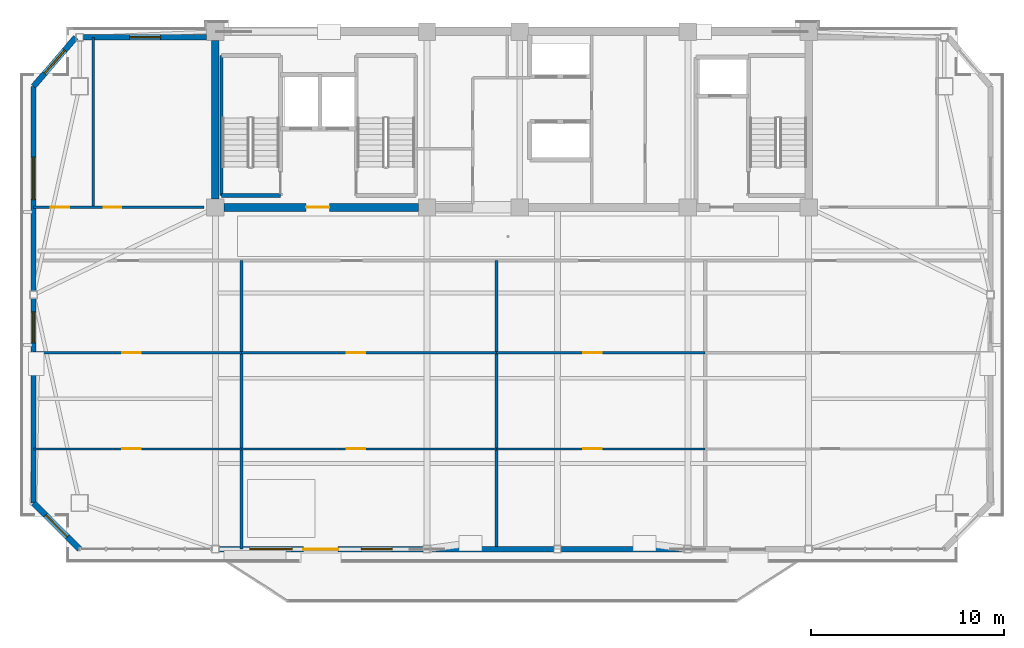
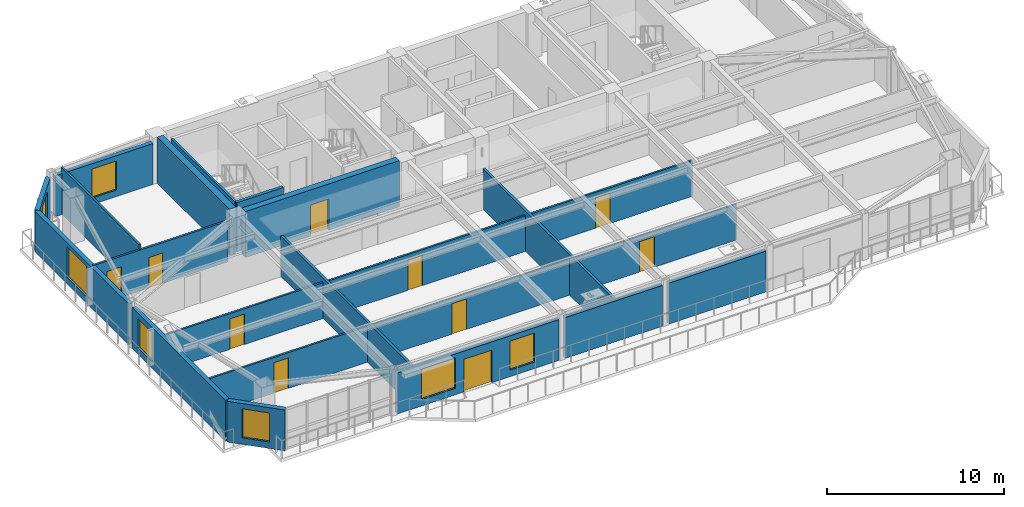
# One storey, part 6 of 13: 22 walls, 10 doors, 7 windows, 17 openings.
"""IFC4 building model written with IfcOpenShell, lengths in metres."""

from ifc_helpers import new_model, si_unit, direction, frame, frame_2d, origin, place, context, subcontext, project, spatial, rectangle, extrude, source, transform, mapped, material, layer, layer_set, type_object, element, fill, save


model = new_model("IFC4")

# Units and contexts
model_context = context("Model", 3, precision=1e-05, world=origin(), true_north=direction((0.0, 1.0)))
body_context = subcontext(model_context, "Body", "Model", "MODEL_VIEW")
ifc_project = project(units=[si_unit("LENGTHUNIT", "METRE"), si_unit("AREAUNIT", "SQUARE_METRE"), si_unit("VOLUMEUNIT", "CUBIC_METRE"), si_unit("PLANEANGLEUNIT", "RADIAN"), si_unit("MASSUNIT", "GRAM", prefix="KILO")], contexts=[model_context])

# Site, building, storey
site_placement = place(None, origin())
site = spatial("IfcSite", under=ifc_project, at=site_placement, CompositionType="ELEMENT")
building_placement = place(site_placement, origin())
building = spatial("IfcBuilding", under=site, at=building_placement, Name="Giltprow Tower", CompositionType="ELEMENT")
storey_placement = place(building_placement, frame((0.0, 0.0, 304.0)))
storey = spatial("IfcBuildingStorey", under=building, at=storey_placement, Name="L78", CompositionType="ELEMENT", Elevation=304.0)

# Wall, opening, window
ifc_material_1 = material(Name="Precast concrete C40", Category="concrete")
ifc_layer_1 = layer(ifc_material_1, 0.300048828125, Name="Precast concrete C40")
ifc_layer_set_1 = layer_set([ifc_layer_1], Name="Precast concrete C40")
wall_type_1 = type_object("IfcWallType", Name="EW-NOTCH-CHAMFER-300", PredefinedType="SOLIDWALL", material=ifc_layer_set_1)
wall_1_placement = place(storey_placement, frame((10.43994140625, 22.156982421875, 0.0), z_axis=(0.0, 0.0, 1.0), x_axis=(0.707106781187, -0.707106781187, 0.0)))
wall_1 = element("IfcWall", 1, at=wall_1_placement, inside=storey, type_object=wall_type_1, Name="L78 Corner Notch Wall SW", PredefinedType="SOLIDWALL", context=body_context, shape_type="SweptSolid", body=[
    extrude(rectangle(XDim=3.372802734375, YDim=0.300048828125, at=frame_2d((1.6865234375, 0.0))), origin(), (0.0, 0.0, 1.0), 2.81494140625),
])
opening_1_placement = place(wall_1_placement, frame((0.885986328125, 0.0, 0.449951171875)))
opening_1 = element("IfcOpeningElement", 2, at=opening_1_placement, cuts=wall_1, Name="Opening WN17", PredefinedType="OPENING", context=body_context, shape_type="SweptSolid", body=[
    extrude(rectangle(XDim=1.60009765625, YDim=2.0, at=frame_2d((0.800048828125, 1.0))), frame((0.0, 0.159912109375, 0.0), z_axis=(0.0, -1.0, 0.0), x_axis=(1.0, 0.0, 0.0)), (0.0, 0.0, 1.0), 0.320068359375),
])
ifc_material_2 = material(Name="Insulated glass", Category="glass")
window_type_1 = type_object("IfcWindowType", Name="WN-COR-1600x2000", PartitioningType="SINGLE_PANEL", PredefinedType="WINDOW", material=ifc_material_2)
shared_shape_1 = source(origin(), body_context, "Body", "SweptSolid", [
    extrude(rectangle(XDim=1.60009765625, YDim=2.0, at=frame_2d((0.800048828125, 1.0))), frame((0.0, 0.030029296875, 0.0), z_axis=(0.0, -1.0, 0.0), x_axis=(1.0, 0.0, 0.0)), (0.0, 0.0, 1.0), 0.06005859375),
])
window_1_placement = place(opening_1_placement, origin())
window_1 = element("IfcWindow", 3, at=window_1_placement, inside=storey, type_object=window_type_1, Name="L78 Corner Notch Window SW", OverallHeight=2.0, OverallWidth=1.60009765625, PartitioningType="SINGLE_PANEL", PredefinedType="WINDOW", context=body_context, shape_type="MappedRepresentation", body=[
    mapped(shared_shape_1, transform((0.0, 0.0, 0.0), x_axis=(1.0, 0.0, 0.0), y_axis=(0.0, 1.0, 0.0), z_axis=(0.0, 0.0, 1.0), scale=1.0)),
])
fill(opening_1, window_1)

wall_2_placement = place(storey_placement, frame((12.625, 46.25, 0.0), z_axis=(0.0, 0.0, 1.0), x_axis=(-0.652903544361, -0.757441061576, 0.0)))
wall_2 = element("IfcWall", 4, at=wall_2_placement, inside=storey, type_object=wall_type_1, Name="L78 Corner Notch Wall NW", PredefinedType="SOLIDWALL", context=body_context, shape_type="SweptSolid", body=[
    extrude(rectangle(XDim=3.3466796875, YDim=0.300048828125, at=frame_2d((1.67333984375, 0.0))), origin(), (0.0, 0.0, 1.0), 2.81494140625),
])
opening_2_placement = place(wall_2_placement, frame((0.873046875, 0.0, 0.449951171875)))
opening_2 = element("IfcOpeningElement", 5, at=opening_2_placement, cuts=wall_2, Name="Opening WN17", PredefinedType="OPENING", context=body_context, shape_type="SweptSolid", body=[
    extrude(rectangle(XDim=1.60009765625, YDim=2.0, at=frame_2d((0.800048828125, 1.0))), frame((0.0, 0.159912109375, 0.0), z_axis=(0.0, -1.0, 0.0), x_axis=(1.0, 0.0, 0.0)), (0.0, 0.0, 1.0), 0.320068359375),
])
window_2_placement = place(opening_2_placement, origin())
window_2 = element("IfcWindow", 6, at=window_2_placement, inside=storey, type_object=window_type_1, Name="L78 Corner Notch Window NW", OverallHeight=2.0, OverallWidth=1.60009765625, PartitioningType="SINGLE_PANEL", PredefinedType="WINDOW", context=body_context, shape_type="MappedRepresentation", body=[
    mapped(shared_shape_1, transform((0.0, 0.0, 0.0), x_axis=(1.0, 0.0, 0.0), y_axis=(0.0, 1.0, 0.0), z_axis=(0.0, 0.0, 1.0), scale=1.0)),
])
fill(opening_2, window_2)

# Wall, openings, windows, door
ifc_layer_2 = layer(ifc_material_1, 0.280029296875, Name="Precast concrete C40")
ifc_layer_set_2 = layer_set([ifc_layer_2], Name="Precast concrete C40")
wall_type_2 = type_object("IfcWallType", Name="EW-TOW-BRONZE-280", PredefinedType="SOLIDWALL", material=ifc_layer_set_2)
wall_3_placement = place(storey_placement, frame((20.050048828125, 19.77197265625, 0.0), z_axis=(0.0, 0.0, 1.0), x_axis=(1.0, 0.0, 0.0)))
wall_3 = element("IfcWall", 7, at=wall_3_placement, inside=storey, type_object=wall_type_2, Name="L78 South Expressed Frame Wall 2", PredefinedType="SOLIDWALL", context=body_context, shape_type="SweptSolid", body=[
    extrude(rectangle(XDim=10.550048828125, YDim=0.280029296875, at=frame_2d((5.27490234375, 0.0))), origin(), (0.0, 0.0, 1.0), 2.81494140625),
])
opening_3_placement = place(wall_3_placement, frame((4.35009765625, 0.0, 0.0)))
opening_3 = element("IfcOpeningElement", 8, at=opening_3_placement, cuts=wall_3, Name="Opening ED25", PredefinedType="OPENING", context=body_context, shape_type="SweptSolid", body=[
    extrude(rectangle(XDim=1.800048828125, YDim=2.25, at=frame_2d((0.89990234375, 1.125))), frame((0.0, 0.14990234375, 0.0), z_axis=(0.0, -1.0, 0.0), x_axis=(1.0, 0.0, 0.0)), (0.0, 0.0, 1.0), 0.300048828125),
])
opening_4_placement = place(wall_3_placement, frame((1.570068359375, 0.0, 0.449951171875)))
opening_4 = element("IfcOpeningElement", 9, at=opening_4_placement, cuts=wall_3, Name="Opening WN27", PredefinedType="OPENING", context=body_context, shape_type="SweptSolid", body=[
    extrude(rectangle(XDim=2.199951171875, YDim=2.10009765625, at=frame_2d((1.10009765625, 1.050048828125))), frame((0.0, 0.14990234375, 0.0), z_axis=(0.0, -1.0, 0.0), x_axis=(1.0, 0.0, 0.0)), (0.0, 0.0, 1.0), 0.300048828125),
])
opening_5_placement = place(wall_3_placement, frame((7.35009765625, 0.0, 0.449951171875)))
opening_5 = element("IfcOpeningElement", 10, at=opening_5_placement, cuts=wall_3, Name="Opening WN17", PredefinedType="OPENING", context=body_context, shape_type="SweptSolid", body=[
    extrude(rectangle(XDim=1.60009765625, YDim=2.0, at=frame_2d((0.800048828125, 1.0))), frame((0.0, 0.14990234375, 0.0), z_axis=(0.0, -1.0, 0.0), x_axis=(1.0, 0.0, 0.0)), (0.0, 0.0, 1.0), 0.300048828125),
])
window_3_placement = place(opening_5_placement, origin())
window_3 = element("IfcWindow", 11, at=window_3_placement, inside=storey, type_object=window_type_1, Name="L78 South Window 2B", OverallHeight=2.0, OverallWidth=1.60009765625, PartitioningType="SINGLE_PANEL", PredefinedType="WINDOW", context=body_context, shape_type="MappedRepresentation", body=[
    mapped(shared_shape_1, transform((0.0, 0.0, 0.0), x_axis=(1.0, 0.0, 0.0), y_axis=(0.0, 1.0, 0.0), z_axis=(0.0, 0.0, 1.0), scale=1.0)),
])
fill(opening_5, window_3)
ifc_material_3 = material(Name="Anodized bronze and glass", Category="glass")
door_type_1 = type_object("IfcDoorType", Name="DR-BALC-SLIDE-1800", OperationType="SLIDING_TO_LEFT", PredefinedType="DOOR", material=ifc_material_3)
shared_shape_2 = source(origin(), body_context, "Body", "SweptSolid", [
    extrude(rectangle(XDim=1.800048828125, YDim=2.25, at=frame_2d((0.89990234375, 1.125))), frame((0.0, 0.02490234375, 0.0), z_axis=(0.0, -1.0, 0.0), x_axis=(1.0, 0.0, 0.0)), (0.0, 0.0, 1.0), 0.050048828125),
])
door_1_placement = place(opening_3_placement, origin())
door_1 = element("IfcDoor", 12, at=door_1_placement, inside=storey, type_object=door_type_1, Name="L78 Waterfront Balcony Sliding Door 1", OperationType="SLIDING_TO_LEFT", OverallHeight=2.25, OverallWidth=1.800048828125, PredefinedType="DOOR", context=body_context, shape_type="MappedRepresentation", body=[
    mapped(shared_shape_2, transform((0.0, 0.0, 0.0), x_axis=(1.0, 0.0, 0.0), y_axis=(0.0, 1.0, 0.0), z_axis=(0.0, 0.0, 1.0), scale=1.0)),
])
fill(opening_3, door_1)
window_type_2 = type_object("IfcWindowType", Name="WN-RES-2200x2100", PartitioningType="TRIPLE_PANEL_VERTICAL", PredefinedType="WINDOW", material=ifc_material_2)
shared_shape_3 = source(origin(), body_context, "Body", "SweptSolid", [
    extrude(rectangle(XDim=2.199951171875, YDim=2.10009765625, at=frame_2d((1.10009765625, 1.050048828125))), frame((0.0, 0.030029296875, 0.0), z_axis=(0.0, -1.0, 0.0), x_axis=(1.0, 0.0, 0.0)), (0.0, 0.0, 1.0), 0.06005859375),
])
window_4_placement = place(opening_4_placement, origin())
window_4 = element("IfcWindow", 13, at=window_4_placement, inside=storey, type_object=window_type_2, Name="L78 South Window 2A", OverallHeight=2.10009765625, OverallWidth=2.199951171875, PartitioningType="SINGLE_PANEL", PredefinedType="WINDOW", context=body_context, shape_type="MappedRepresentation", body=[
    mapped(shared_shape_3, transform((0.0, 0.0, 0.0), x_axis=(1.0, 0.0, 0.0), y_axis=(0.0, 1.0, 0.0), z_axis=(0.0, 0.0, 1.0), scale=1.0)),
])
fill(opening_4, window_4)

# Walls
for number, where, z_axis, x_axis, name in (
    (14, (31.0, 19.77197265625, 0.0), (0.0, 0.0, 1.0), (1.0, 0.0, 0.0), "L78 South Expressed Frame Wall 3"),
    (15, (37.75, 19.77197265625, 0.0), (0.0, 0.0, 1.0), (1.0, 0.0, 0.0), "L78 South Expressed Frame Wall 4"),
):
    element("IfcWall", number, at=place(storey_placement, frame(where, z_axis=z_axis, x_axis=x_axis)), inside=storey, type_object=wall_type_2, Name=name, PredefinedType="SOLIDWALL", context=body_context, shape_type="SweptSolid", body=[
        extrude(rectangle(XDim=6.35009765625, YDim=0.280029296875, at=frame_2d((3.175048828125, 0.0))), origin(), (0.0, 0.0, 1.0), 2.81494140625),
    ])

# Wall, opening, window
wall_4_placement = place(storey_placement, frame((10.43994140625, 22.156982421875, 0.0), z_axis=(0.0, 0.0, 1.0), x_axis=(0.0, 1.0, 0.0)))
wall_4 = element("IfcWall", 16, at=wall_4_placement, inside=storey, type_object=wall_type_2, Name="L78 W Wing Masonry Wall 1", PredefinedType="SOLIDWALL", context=body_context, shape_type="SweptSolid", body=[
    extrude(rectangle(XDim=10.5791015625, YDim=0.280029296875, at=frame_2d((5.28955078125, 0.0))), origin(), (0.0, 0.0, 1.0), 2.81494140625),
])
opening_6_placement = place(wall_4_placement, frame((8.2900390625, 0.0, 0.449951171875)))
opening_6 = element("IfcOpeningElement", 17, at=opening_6_placement, cuts=wall_4, Name="Opening WN17", PredefinedType="OPENING", context=body_context, shape_type="SweptSolid", body=[
    extrude(rectangle(XDim=1.60009765625, YDim=2.0, at=frame_2d((0.800048828125, 1.0))), frame((0.0, 0.14990234375, 0.0), z_axis=(0.0, -1.0, 0.0), x_axis=(1.0, 0.0, 0.0)), (0.0, 0.0, 1.0), 0.300048828125),
])
window_5_placement = place(opening_6_placement, origin())
window_5 = element("IfcWindow", 18, at=window_5_placement, inside=storey, type_object=window_type_1, Name="L78 W Wing Window 1-1", OverallHeight=2.0, OverallWidth=1.60009765625, PartitioningType="SINGLE_PANEL", PredefinedType="WINDOW", context=body_context, shape_type="MappedRepresentation", body=[
    mapped(shared_shape_1, transform((0.0, 0.0, 0.0), x_axis=(1.0, 0.0, 0.0), y_axis=(0.0, 1.0, 0.0), z_axis=(0.0, 0.0, 1.0), scale=1.0)),
])
fill(opening_6, window_5)

wall_5_placement = place(storey_placement, frame((10.43994140625, 33.135986328125, 0.0), z_axis=(0.0, 0.0, 1.0), x_axis=(0.0, 1.0, 0.0)))
wall_5 = element("IfcWall", 19, at=wall_5_placement, inside=storey, type_object=wall_type_2, Name="L78 W Wing Masonry Wall 2", PredefinedType="SOLIDWALL", context=body_context, shape_type="SweptSolid", body=[
    extrude(rectangle(XDim=10.5791015625, YDim=0.280029296875, at=frame_2d((5.28955078125, 0.0))), origin(), (0.0, 0.0, 1.0), 2.81494140625),
])
opening_7_placement = place(wall_5_placement, frame((4.718994140625, 0.0, 0.449951171875)))
opening_7 = element("IfcOpeningElement", 20, at=opening_7_placement, cuts=wall_5, Name="Opening WN27", PredefinedType="OPENING", context=body_context, shape_type="SweptSolid", body=[
    extrude(rectangle(XDim=2.199951171875, YDim=2.10009765625, at=frame_2d((1.10009765625, 1.050048828125))), frame((0.0, 0.14990234375, 0.0), z_axis=(0.0, -1.0, 0.0), x_axis=(1.0, 0.0, 0.0)), (0.0, 0.0, 1.0), 0.300048828125),
])
window_6_placement = place(opening_7_placement, origin())
window_6 = element("IfcWindow", 21, at=window_6_placement, inside=storey, type_object=window_type_2, Name="L78 W Wing Window 2-1", OverallHeight=2.10009765625, OverallWidth=2.199951171875, PartitioningType="SINGLE_PANEL", PredefinedType="WINDOW", context=body_context, shape_type="MappedRepresentation", body=[
    mapped(shared_shape_3, transform((0.0, 0.0, 0.0), x_axis=(1.0, 0.0, 0.0), y_axis=(0.0, 1.0, 0.0), z_axis=(0.0, 0.0, 1.0), scale=1.0)),
])
fill(opening_7, window_6)

wall_6_placement = place(storey_placement, frame((13.02490234375, 46.25, 0.0), z_axis=(0.0, 0.0, 1.0), x_axis=(1.0, 0.0, 0.0)))
wall_6 = element("IfcWall", 22, at=wall_6_placement, inside=storey, type_object=wall_type_2, Name="L78 North-West Wing Wall", PredefinedType="SOLIDWALL", context=body_context, shape_type="SweptSolid", body=[
    extrude(rectangle(XDim=6.375, YDim=0.280029296875, at=frame_2d((3.1875, 0.0))), origin(), (0.0, 0.0, 1.0), 2.81494140625),
])
opening_8_placement = place(wall_6_placement, frame((2.386962890625, 0.0, 0.449951171875)))
opening_8 = element("IfcOpeningElement", 23, at=opening_8_placement, cuts=wall_6, Name="Opening WN17", PredefinedType="OPENING", context=body_context, shape_type="SweptSolid", body=[
    extrude(rectangle(XDim=1.60009765625, YDim=2.0, at=frame_2d((0.800048828125, 1.0))), frame((0.0, 0.14990234375, 0.0), z_axis=(0.0, -1.0, 0.0), x_axis=(1.0, 0.0, 0.0)), (0.0, 0.0, 1.0), 0.300048828125),
])
window_7_placement = place(opening_8_placement, origin())
window_7 = element("IfcWindow", 24, at=window_7_placement, inside=storey, type_object=window_type_1, Name="L78 North-West Window", OverallHeight=2.0, OverallWidth=1.60009765625, PartitioningType="SINGLE_PANEL", PredefinedType="WINDOW", context=body_context, shape_type="MappedRepresentation", body=[
    mapped(shared_shape_1, transform((0.0, 0.0, 0.0), x_axis=(1.0, 0.0, 0.0), y_axis=(0.0, 1.0, 0.0), z_axis=(0.0, 0.0, 1.0), scale=1.0)),
])
fill(opening_8, window_7)

# Walls
ifc_material_4 = material(Name="Gypsum stud partition", Category="gypsum")
ifc_layer_3 = layer(ifc_material_4, 0.159912109375, Name="Gypsum stud partition")
ifc_layer_set_3 = layer_set([ifc_layer_3], Name="Gypsum stud partition")
wall_type_3 = type_object("IfcWallType", Name="IW-DEMISE-160", PredefinedType="PARTITIONING", material=ifc_layer_set_3)
for number, where, z_axis, x_axis, name in (
    (25, (21.199951171875, 19.77197265625, 0.0), (0.0, 0.0, 1.0), (0.0, 1.0, 0.0), "L78 Apartment Party Wall 1"),
    (26, (34.39990234375, 19.77197265625, 0.0), (0.0, 0.0, 1.0), (0.0, 1.0, 0.0), "L78 Apartment Party Wall 2"),
):
    element("IfcWall", number, at=place(storey_placement, frame(where, z_axis=z_axis, x_axis=x_axis)), inside=storey, type_object=wall_type_3, Name=name, PredefinedType="PARTITIONING", context=body_context, shape_type="SweptSolid", body=[
        extrude(rectangle(XDim=14.927978515625, YDim=0.159912109375, at=frame_2d((7.4638671875, 0.0))), origin(), (0.0, 0.0, 1.0), 2.77001953125),
    ])

# Wall, opening, door
ifc_layer_4 = layer(ifc_material_4, 0.1201171875, Name="Gypsum stud partition")
ifc_layer_set_4 = layer_set([ifc_layer_4], Name="Gypsum stud partition")
wall_type_4 = type_object("IfcWallType", Name="IW-ROOM-120", PredefinedType="PARTITIONING", material=ifc_layer_set_4)
wall_7_placement = place(storey_placement, frame((10.43994140625, 24.951904296875, 0.0), z_axis=(0.0, 0.0, 1.0), x_axis=(1.0, 0.0, 0.0)))
wall_7 = element("IfcWall", 27, at=wall_7_placement, inside=storey, type_object=wall_type_4, Name="L78 Special Split 1", PredefinedType="PARTITIONING", context=body_context, shape_type="SweptSolid", body=[
    extrude(rectangle(XDim=10.760009765625, YDim=0.1201171875, at=frame_2d((5.3798828125, 0.0))), origin(), (0.0, 0.0, 1.0), 2.469970703125),
])
opening_9_placement = place(wall_7_placement, frame((4.590087890625, 0.0, 0.0)))
opening_9 = element("IfcOpeningElement", 28, at=opening_9_placement, cuts=wall_7, Name="Opening ID11", PredefinedType="OPENING", context=body_context, shape_type="SweptSolid", body=[
    extrude(rectangle(XDim=0.949951171875, YDim=2.10009765625, at=frame_2d((0.47509765625, 1.050048828125))), frame((0.0, 0.070068359375, 0.0), z_axis=(0.0, -1.0, 0.0), x_axis=(1.0, 0.0, 0.0)), (0.0, 0.0, 1.0), 0.14013671875),
])
ifc_material_5 = material(Name="Engineered timber", Category="wood")
door_type_2 = type_object("IfcDoorType", Name="DR-ROOM-950", OperationType="SINGLE_SWING_RIGHT", PredefinedType="DOOR", material=ifc_material_5)
shared_shape_4 = source(origin(), body_context, "Body", "SweptSolid", [
    extrude(rectangle(XDim=0.949951171875, YDim=2.10009765625, at=frame_2d((0.47509765625, 1.050048828125))), frame((0.0, 0.02490234375, 0.0), z_axis=(0.0, -1.0, 0.0), x_axis=(1.0, 0.0, 0.0)), (0.0, 0.0, 1.0), 0.050048828125),
])
door_2_placement = place(opening_9_placement, origin())
door_2 = element("IfcDoor", 29, at=door_2_placement, inside=storey, type_object=door_type_2, Name="L78 Residents Study Office South Door", OperationType="SINGLE_SWING_LEFT", OverallHeight=2.10009765625, OverallWidth=0.949951171875, PredefinedType="DOOR", context=body_context, shape_type="MappedRepresentation", body=[
    mapped(shared_shape_4, transform((0.0, 0.0, 0.0), x_axis=(1.0, 0.0, 0.0), y_axis=(0.0, 1.0, 0.0), z_axis=(0.0, 0.0, 1.0), scale=1.0)),
])
fill(opening_9, door_2)

wall_8_placement = place(storey_placement, frame((10.43994140625, 29.93310546875, 0.0), z_axis=(0.0, 0.0, 1.0), x_axis=(1.0, 0.0, 0.0)))
wall_8 = element("IfcWall", 30, at=wall_8_placement, inside=storey, type_object=wall_type_4, Name="L78 Special Split 2", PredefinedType="PARTITIONING", context=body_context, shape_type="SweptSolid", body=[
    extrude(rectangle(XDim=10.760009765625, YDim=0.1201171875, at=frame_2d((5.3798828125, 0.0))), origin(), (0.0, 0.0, 1.0), 2.469970703125),
])
opening_10_placement = place(wall_8_placement, frame((4.590087890625, 0.0, 0.0)))
opening_10 = element("IfcOpeningElement", 31, at=opening_10_placement, cuts=wall_8, Name="Opening ID11", PredefinedType="OPENING", context=body_context, shape_type="SweptSolid", body=[
    extrude(rectangle(XDim=0.949951171875, YDim=2.10009765625, at=frame_2d((0.47509765625, 1.050048828125))), frame((0.0, 0.070068359375, 0.0), z_axis=(0.0, -1.0, 0.0), x_axis=(1.0, 0.0, 0.0)), (0.0, 0.0, 1.0), 0.14013671875),
])
door_3_placement = place(opening_10_placement, origin())
door_3 = element("IfcDoor", 32, at=door_3_placement, inside=storey, type_object=door_type_2, Name="L78 Residents Study Office Mid Door", OperationType="SINGLE_SWING_RIGHT", OverallHeight=2.10009765625, OverallWidth=0.949951171875, PredefinedType="DOOR", context=body_context, shape_type="MappedRepresentation", body=[
    mapped(shared_shape_4, transform((0.0, 0.0, 0.0), x_axis=(1.0, 0.0, 0.0), y_axis=(0.0, 1.0, 0.0), z_axis=(0.0, 0.0, 1.0), scale=1.0)),
])
fill(opening_10, door_3)

wall_9_placement = place(storey_placement, frame((21.199951171875, 24.951904296875, 0.0), z_axis=(0.0, 0.0, 1.0), x_axis=(1.0, 0.0, 0.0)))
wall_9 = element("IfcWall", 33, at=wall_9_placement, inside=storey, type_object=wall_type_4, Name="L78 Special Split 1", PredefinedType="PARTITIONING", context=body_context, shape_type="SweptSolid", body=[
    extrude(rectangle(XDim=13.199951171875, YDim=0.1201171875, at=frame_2d((6.60009765625, 0.0))), origin(), (0.0, 0.0, 1.0), 2.469970703125),
])
opening_11_placement = place(wall_9_placement, frame((5.446044921875, 0.0, 0.0)))
opening_11 = element("IfcOpeningElement", 34, at=opening_11_placement, cuts=wall_9, Name="Opening ID11", PredefinedType="OPENING", context=body_context, shape_type="SweptSolid", body=[
    extrude(rectangle(XDim=0.949951171875, YDim=2.10009765625, at=frame_2d((0.47509765625, 1.050048828125))), frame((0.0, 0.070068359375, 0.0), z_axis=(0.0, -1.0, 0.0), x_axis=(1.0, 0.0, 0.0)), (0.0, 0.0, 1.0), 0.14013671875),
])
door_4_placement = place(opening_11_placement, origin())
door_4 = element("IfcDoor", 35, at=door_4_placement, inside=storey, type_object=door_type_2, Name="L78 Residents Sky Club Lounge South Door", OperationType="SINGLE_SWING_RIGHT", OverallHeight=2.10009765625, OverallWidth=0.949951171875, PredefinedType="DOOR", context=body_context, shape_type="MappedRepresentation", body=[
    mapped(shared_shape_4, transform((0.0, 0.0, 0.0), x_axis=(1.0, 0.0, 0.0), y_axis=(0.0, 1.0, 0.0), z_axis=(0.0, 0.0, 1.0), scale=1.0)),
])
fill(opening_11, door_4)

wall_10_placement = place(storey_placement, frame((21.199951171875, 29.93310546875, 0.0), z_axis=(0.0, 0.0, 1.0), x_axis=(1.0, 0.0, 0.0)))
wall_10 = element("IfcWall", 36, at=wall_10_placement, inside=storey, type_object=wall_type_4, Name="L78 Special Split 2", PredefinedType="PARTITIONING", context=body_context, shape_type="SweptSolid", body=[
    extrude(rectangle(XDim=13.199951171875, YDim=0.1201171875, at=frame_2d((6.60009765625, 0.0))), origin(), (0.0, 0.0, 1.0), 2.469970703125),
])
opening_12_placement = place(wall_10_placement, frame((5.446044921875, 0.0, 0.0)))
opening_12 = element("IfcOpeningElement", 37, at=opening_12_placement, cuts=wall_10, Name="Opening ID11", PredefinedType="OPENING", context=body_context, shape_type="SweptSolid", body=[
    extrude(rectangle(XDim=0.949951171875, YDim=2.10009765625, at=frame_2d((0.47509765625, 1.050048828125))), frame((0.0, 0.070068359375, 0.0), z_axis=(0.0, -1.0, 0.0), x_axis=(1.0, 0.0, 0.0)), (0.0, 0.0, 1.0), 0.14013671875),
])
door_5_placement = place(opening_12_placement, origin())
door_5 = element("IfcDoor", 38, at=door_5_placement, inside=storey, type_object=door_type_2, Name="L78 Residents Sky Club Lounge Mid Door", OperationType="SINGLE_SWING_LEFT", OverallHeight=2.10009765625, OverallWidth=0.949951171875, PredefinedType="DOOR", context=body_context, shape_type="MappedRepresentation", body=[
    mapped(shared_shape_4, transform((0.0, 0.0, 0.0), x_axis=(1.0, 0.0, 0.0), y_axis=(0.0, 1.0, 0.0), z_axis=(0.0, 0.0, 1.0), scale=1.0)),
])
fill(opening_12, door_5)

wall_11_placement = place(storey_placement, frame((34.39990234375, 24.951904296875, 0.0), z_axis=(0.0, 0.0, 1.0), x_axis=(1.0, 0.0, 0.0)))
wall_11 = element("IfcWall", 39, at=wall_11_placement, inside=storey, type_object=wall_type_4, Name="L78 Special Split 1", PredefinedType="PARTITIONING", context=body_context, shape_type="SweptSolid", body=[
    extrude(rectangle(XDim=10.800048828125, YDim=0.1201171875, at=frame_2d((5.39990234375, 0.0))), origin(), (0.0, 0.0, 1.0), 2.469970703125),
])
opening_13_placement = place(wall_11_placement, frame((4.486083984375, 0.0, 0.0)))
opening_13 = element("IfcOpeningElement", 40, at=opening_13_placement, cuts=wall_11, Name="Opening ID11", PredefinedType="OPENING", context=body_context, shape_type="SweptSolid", body=[
    extrude(rectangle(XDim=0.949951171875, YDim=2.10009765625, at=frame_2d((0.47509765625, 1.050048828125))), frame((0.0, 0.070068359375, 0.0), z_axis=(0.0, -1.0, 0.0), x_axis=(1.0, 0.0, 0.0)), (0.0, 0.0, 1.0), 0.14013671875),
])
door_6_placement = place(opening_13_placement, origin())
door_6 = element("IfcDoor", 41, at=door_6_placement, inside=storey, type_object=door_type_2, Name="L78 Residents Sky Club Lounge South Door", OperationType="SINGLE_SWING_LEFT", OverallHeight=2.10009765625, OverallWidth=0.949951171875, PredefinedType="DOOR", context=body_context, shape_type="MappedRepresentation", body=[
    mapped(shared_shape_4, transform((0.0, 0.0, 0.0), x_axis=(1.0, 0.0, 0.0), y_axis=(0.0, 1.0, 0.0), z_axis=(0.0, 0.0, 1.0), scale=1.0)),
])
fill(opening_13, door_6)

wall_12_placement = place(storey_placement, frame((34.39990234375, 29.93310546875, 0.0), z_axis=(0.0, 0.0, 1.0), x_axis=(1.0, 0.0, 0.0)))
wall_12 = element("IfcWall", 42, at=wall_12_placement, inside=storey, type_object=wall_type_4, Name="L78 Special Split 2", PredefinedType="PARTITIONING", context=body_context, shape_type="SweptSolid", body=[
    extrude(rectangle(XDim=10.800048828125, YDim=0.1201171875, at=frame_2d((5.39990234375, 0.0))), origin(), (0.0, 0.0, 1.0), 2.469970703125),
])
opening_14_placement = place(wall_12_placement, frame((4.486083984375, 0.0, 0.0)))
opening_14 = element("IfcOpeningElement", 43, at=opening_14_placement, cuts=wall_12, Name="Opening ID11", PredefinedType="OPENING", context=body_context, shape_type="SweptSolid", body=[
    extrude(rectangle(XDim=0.949951171875, YDim=2.10009765625, at=frame_2d((0.47509765625, 1.050048828125))), frame((0.0, 0.070068359375, 0.0), z_axis=(0.0, -1.0, 0.0), x_axis=(1.0, 0.0, 0.0)), (0.0, 0.0, 1.0), 0.14013671875),
])
door_7_placement = place(opening_14_placement, origin())
door_7 = element("IfcDoor", 44, at=door_7_placement, inside=storey, type_object=door_type_2, Name="L78 Residents Sky Club Lounge Mid Door", OperationType="SINGLE_SWING_RIGHT", OverallHeight=2.10009765625, OverallWidth=0.949951171875, PredefinedType="DOOR", context=body_context, shape_type="MappedRepresentation", body=[
    mapped(shared_shape_4, transform((0.0, 0.0, 0.0), x_axis=(1.0, 0.0, 0.0), y_axis=(0.0, 1.0, 0.0), z_axis=(0.0, 0.0, 1.0), scale=1.0)),
])
fill(opening_14, door_7)

# Walls
ifc_material_6 = material(Name="Concrete C45", Category="concrete")
ifc_layer_5 = layer(ifc_material_6, 0.139892578125, Name="Concrete C45")
ifc_layer_set_5 = layer_set([ifc_layer_5], Name="Concrete C45")
wall_type_5 = type_object("IfcWallType", Name="IW-STAIR-140", PredefinedType="SOLIDWALL", material=ifc_layer_set_5)
wall_13_placement = place(storey_placement, frame((20.169921875, 38.070068359375, 0.0), z_axis=(0.0, 0.0, 1.0), x_axis=(0.0, 1.0, 0.0)))
element("IfcWall", 45, at=wall_13_placement, inside=storey, type_object=wall_type_5, Name="L78 Stair ST-1 West Bearing Wall", PredefinedType="SOLIDWALL", context=body_context, shape_type="SweptSolid", body=[
    extrude(rectangle(XDim=7.25, YDim=0.139892578125, at=frame_2d((3.625, 0.0))), origin(), (0.0, 0.0, 1.0), 3.39990234375),
])
ifc_material_7 = material(Name="Concrete C40", Category="concrete")
ifc_layer_6 = layer(ifc_material_7, 0.199951171875, Name="Concrete C40")
ifc_layer_set_6 = layer_set([ifc_layer_6], Name="Concrete C40")
wall_type_6 = type_object("IfcWallType", Name="IW-STAIR-200", PredefinedType="SOLIDWALL", material=ifc_layer_set_6)
wall_14_placement = place(storey_placement, frame((20.169921875, 38.070068359375, 0.0), z_axis=(0.0, 0.0, 1.0), x_axis=(1.0, 0.0, 0.0)))
element("IfcWall", 46, at=wall_14_placement, inside=storey, type_object=wall_type_6, Name="L78 Stair ST-1 South Bearing Wall", PredefinedType="SOLIDWALL", context=body_context, shape_type="SweptSolid", body=[
    extrude(rectangle(XDim=3.050048828125, YDim=0.199951171875, at=frame_2d((1.52490234375, 0.0))), origin(), (0.0, 0.0, 1.0), 3.39990234375),
])

# Wall, openings, doors
ifc_material_8 = material(Name="Concrete C30", Category="concrete")
ifc_layer_7 = layer(ifc_material_8, 0.1298828125, Name="Concrete C30")
ifc_layer_set_7 = layer_set([ifc_layer_7], Name="Concrete C30")
wall_type_7 = type_object("IfcWallType", Name="IW-WET-130", PredefinedType="PARTITIONING", material=ifc_layer_set_7)
wall_15_placement = place(storey_placement, frame((10.43994140625, 37.449951171875, 0.0), z_axis=(0.0, 0.0, 1.0), x_axis=(1.0, 0.0, 0.0)))
wall_15 = element("IfcWall", 47, at=wall_15_placement, inside=storey, type_object=wall_type_7, Name="L78 NW Wing South Wall", PredefinedType="PARTITIONING", context=body_context, shape_type="SweptSolid", body=[
    extrude(rectangle(XDim=8.81005859375, YDim=0.1298828125, at=frame_2d((4.405029296875, 0.0))), origin(), (0.0, 0.0, 1.0), 2.820068359375),
])
opening_15_placement = place(wall_15_placement, frame((0.89990234375, 0.0, 0.0)))
opening_15 = element("IfcOpeningElement", 48, at=opening_15_placement, cuts=wall_15, Name="Opening ID11", PredefinedType="OPENING", context=body_context, shape_type="SweptSolid", body=[
    extrude(rectangle(XDim=0.949951171875, YDim=2.10009765625, at=frame_2d((0.47509765625, 1.050048828125))), frame((0.0, 0.074951171875, 0.0), z_axis=(0.0, -1.0, 0.0), x_axis=(1.0, 0.0, 0.0)), (0.0, 0.0, 1.0), 0.14990234375),
])
opening_16_placement = place(wall_15_placement, frame((3.64306640625, 0.0, 0.0)))
opening_16 = element("IfcOpeningElement", 49, at=opening_16_placement, cuts=wall_15, Name="Opening ID15", PredefinedType="OPENING", context=body_context, shape_type="SweptSolid", body=[
    extrude(rectangle(XDim=0.89990234375, YDim=2.10009765625, at=frame_2d((0.449951171875, 1.050048828125))), frame((0.0, 0.074951171875, 0.0), z_axis=(0.0, -1.0, 0.0), x_axis=(1.0, 0.0, 0.0)), (0.0, 0.0, 1.0), 0.14990234375),
])
door_type_3 = type_object("IfcDoorType", Name="DR-WC-900", OperationType="SINGLE_SWING_LEFT", PredefinedType="DOOR", material=ifc_material_5)
shared_shape_5 = source(origin(), body_context, "Body", "SweptSolid", [
    extrude(rectangle(XDim=0.89990234375, YDim=2.10009765625, at=frame_2d((0.449951171875, 1.050048828125))), frame((0.0, 0.02490234375, 0.0), z_axis=(0.0, -1.0, 0.0), x_axis=(1.0, 0.0, 0.0)), (0.0, 0.0, 1.0), 0.050048828125),
])
door_8_placement = place(opening_16_placement, origin())
door_8 = element("IfcDoor", 50, at=door_8_placement, inside=storey, type_object=door_type_3, Name="L78 NW Washroom Door", OperationType="SINGLE_SWING_RIGHT", OverallHeight=2.10009765625, OverallWidth=0.89990234375, PredefinedType="DOOR", context=body_context, shape_type="MappedRepresentation", body=[
    mapped(shared_shape_5, transform((0.0, 0.0, 0.0), x_axis=(1.0, 0.0, 0.0), y_axis=(0.0, 1.0, 0.0), z_axis=(0.0, 0.0, 1.0), scale=1.0)),
])
fill(opening_16, door_8)
door_9_placement = place(opening_15_placement, origin())
door_9 = element("IfcDoor", 51, at=door_9_placement, inside=storey, type_object=door_type_2, Name="L78 Residents Study Office West Door", OperationType="SINGLE_SWING_LEFT", OverallHeight=2.10009765625, OverallWidth=0.949951171875, PredefinedType="DOOR", context=body_context, shape_type="MappedRepresentation", body=[
    mapped(shared_shape_4, transform((0.0, 0.0, 0.0), x_axis=(1.0, 0.0, 0.0), y_axis=(0.0, 1.0, 0.0), z_axis=(0.0, 0.0, 1.0), scale=1.0)),
])
fill(opening_15, door_9)

# Wall
wall_16_placement = place(storey_placement, frame((13.532958984375, 37.449951171875, 0.0), z_axis=(0.0, 0.0, 1.0), x_axis=(0.0, 1.0, 0.0)))
element("IfcWall", 52, at=wall_16_placement, inside=storey, type_object=wall_type_7, Name="L78 NW Wing Divider", PredefinedType="PARTITIONING", context=body_context, shape_type="SweptSolid", body=[
    extrude(rectangle(XDim=8.800048828125, YDim=0.1298828125, at=frame_2d((4.39990234375, 0.0))), origin(), (0.0, 0.0, 1.0), 3.18505859375),
])

# Wall, opening, door
ifc_layer_8 = layer(ifc_material_6, 0.39990234375, Name="Concrete C45")
ifc_layer_set_8 = layer_set([ifc_layer_8], Name="Concrete C45")
wall_type_8 = type_object("IfcWallType", Name="SW-INT-400-C45", PredefinedType="SHEAR", material=ifc_layer_set_8)
wall_17_placement = place(storey_placement, frame((20.300048828125, 37.449951171875, 0.0), z_axis=(0.0, 0.0, 1.0), x_axis=(1.0, 0.0, 0.0)))
wall_17 = element("IfcWall", 53, at=wall_17_placement, inside=storey, type_object=wall_type_8, Name="L78 South Rear Core Shear Wall West", PredefinedType="SHEAR", context=body_context, shape_type="SweptSolid", body=[
    extrude(rectangle(XDim=10.050048828125, YDim=0.39990234375, at=frame_2d((5.02490234375, 0.0))), origin(), (0.0, 0.0, 1.0), 3.18505859375),
])
opening_17_placement = place(wall_17_placement, frame((4.25, 0.0, 0.0)))
opening_17 = element("IfcOpeningElement", 54, at=opening_17_placement, cuts=wall_17, Name="Opening ID19", PredefinedType="OPENING", context=body_context, shape_type="SweptSolid", body=[
    extrude(rectangle(XDim=1.199951171875, YDim=2.14990234375, at=frame_2d((0.60009765625, 1.074951171875))), frame((0.0, 0.2099609375, 0.0), z_axis=(0.0, -1.0, 0.0), x_axis=(1.0, 0.0, 0.0)), (0.0, 0.0, 1.0), 0.419921875),
])
ifc_material_9 = material(Name="Steel fire leaf", Category="steel")
door_type_4 = type_object("IfcDoorType", Name="DR-FFLOBBY-1200", OperationType="SINGLE_SWING_RIGHT", PredefinedType="DOOR", material=ifc_material_9)
shared_shape_6 = source(origin(), body_context, "Body", "SweptSolid", [
    extrude(rectangle(XDim=1.199951171875, YDim=2.14990234375, at=frame_2d((0.60009765625, 1.074951171875))), frame((0.0, 0.02490234375, 0.0), z_axis=(0.0, -1.0, 0.0), x_axis=(1.0, 0.0, 0.0)), (0.0, 0.0, 1.0), 0.050048828125),
])
door_10_placement = place(opening_17_placement, origin())
door_10 = element("IfcDoor", 55, at=door_10_placement, inside=storey, type_object=door_type_4, Name="L78 West Firefighting Lobby Entry Door", OperationType="SINGLE_SWING_LEFT", OverallHeight=2.14990234375, OverallWidth=1.199951171875, PredefinedType="DOOR", context=body_context, shape_type="MappedRepresentation", body=[
    mapped(shared_shape_6, transform((0.0, 0.0, 0.0), x_axis=(1.0, 0.0, 0.0), y_axis=(0.0, 1.0, 0.0), z_axis=(0.0, 0.0, 1.0), scale=1.0)),
])
fill(opening_17, door_10)

# Wall
wall_18_placement = place(storey_placement, frame((19.85009765625, 37.89990234375, 0.0), z_axis=(0.0, 0.0, 1.0), x_axis=(0.0, 1.0, 0.0)))
element("IfcWall", 56, at=wall_18_placement, inside=storey, type_object=wall_type_8, Name="L78 W Rear Core Shear Wall", PredefinedType="SHEAR", context=body_context, shape_type="SweptSolid", body=[
    extrude(rectangle(XDim=8.2001953125, YDim=0.39990234375, at=frame_2d((4.10009765625, 0.0))), origin(), (0.0, 0.0, 1.0), 3.18505859375),
])

save(model, "model.ifc")
